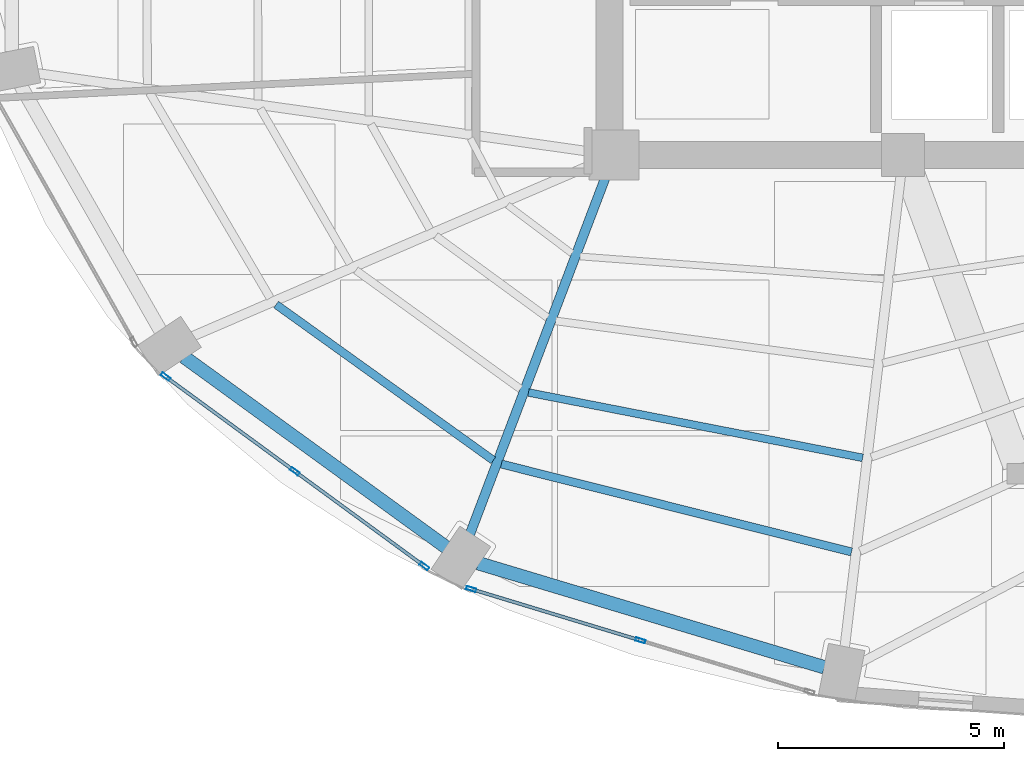
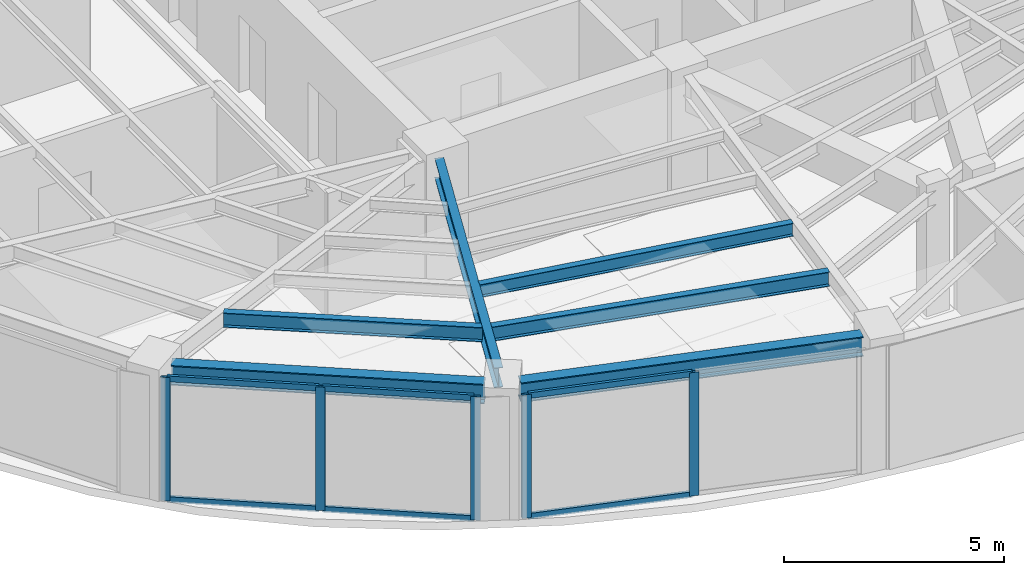
# One storey, part 2 of 20: 11 members, 6 beams, 2 elements without a shape of their own.
"""IFC4 building model written with IfcOpenShell, lengths in metres."""

from ifc_helpers import new_model, si_unit, direction, frame, origin, origin_2d, place, context, subcontext, project, spatial, hollow_rectangle, i_section, extrude, material, layer, layer_set, material_profile, profile_set, type_object, element, aggregate, save


model = new_model("IFC4")

# Units and contexts
model_context = context("Model", 3, precision=1e-05, world=origin(), true_north=direction((0.0, 1.0)))
body_context = subcontext(model_context, "Body", "Model", "MODEL_VIEW")
ifc_project = project(units=[si_unit("LENGTHUNIT", "METRE"), si_unit("AREAUNIT", "SQUARE_METRE"), si_unit("VOLUMEUNIT", "CUBIC_METRE"), si_unit("PLANEANGLEUNIT", "RADIAN"), si_unit("MASSUNIT", "GRAM", prefix="KILO")], contexts=[model_context])

# Site, building, storey
site_placement = place(None, origin())
site = spatial("IfcSite", under=ifc_project, at=site_placement, CompositionType="ELEMENT")
building_placement = place(site_placement, origin())
building = spatial("IfcBuilding", under=site, at=building_placement, Name="Lazwardi Medical Tower", CompositionType="ELEMENT")
storey_placement = place(building_placement, frame((0.0, 0.0, 145.583984375)))
storey = spatial("IfcBuildingStorey", under=building, at=storey_placement, Name="L37", CompositionType="ELEMENT", Elevation=145.583984375)

# Beams
ifc_material_1 = material(Name="Steel S355", Category="steel")
ifc_material_profile_1 = material_profile(ifc_material_1, i_section(OverallWidth=0.300048828125, OverallDepth=0.550048828125, WebThickness=0.014892578125, FlangeThickness=0.029052734375, at=origin_2d()), Name="HEB 550")
ifc_profile_set_1 = profile_set([ifc_material_profile_1], Name="Steel S355")
beam_type_1 = type_object("IfcBeamType", Name="BM-RB-Z3", PredefinedType="BEAM", material=ifc_profile_set_1)
beam_1_placement = place(storey_placement, frame((16.88818359375, 15.93408203125, 3.153076171875), z_axis=(0.809127570774, -0.587633026824, 0.0), x_axis=(0.587633026824, 0.809127570774, 0.0)))
element("IfcBeam", 1, at=beam_1_placement, inside=storey, type_object=beam_type_1, Name="Ring beam RB-04 B14 L37", PredefinedType="BEAM", context=body_context, shape_type="SweptSolid", body=[
    extrude(i_section(OverallWidth=0.300048828125, OverallDepth=0.550048828125, WebThickness=0.014892578125, FlangeThickness=0.029052734375, at=origin_2d()), origin(), (0.0, 0.0, 1.0), 7.170166015625),
])
beam_2_placement = place(storey_placement, frame((23.396484375, 11.37060546875, 3.153076171875), z_axis=(0.957616873483, -0.288045002771, 0.0), x_axis=(0.288045002771, 0.957616873483, 0.0)))
element("IfcBeam", 2, at=beam_2_placement, inside=storey, type_object=beam_type_1, Name="Ring beam RB-04 B15 L37", PredefinedType="BEAM", context=body_context, shape_type="SweptSolid", body=[
    extrude(i_section(OverallWidth=0.300048828125, OverallDepth=0.550048828125, WebThickness=0.014892578125, FlangeThickness=0.029052734375, at=origin_2d()), origin(), (0.0, 0.0, 1.0), 7.99951171875),
])
ifc_material_profile_2 = material_profile(ifc_material_1, i_section(OverallWidth=0.2099609375, OverallDepth=0.550048828125, WebThickness=0.010986328125, FlangeThickness=0.01708984375, at=origin_2d()), Name="IPE 550")
ifc_profile_set_2 = profile_set([ifc_material_profile_2], Name="Steel S355")
beam_type_2 = type_object("IfcBeamType", Name="BM-RG-W2", PredefinedType="BEAM", material=ifc_profile_set_2)
beam_3_placement = place(storey_placement, frame((23.21240234375, 12.00927734375, 3.153076171875), z_axis=(0.355126771712, 0.934818151307, 0.0), x_axis=(-0.934818151307, 0.355126771712, 0.0)))
element("IfcBeam", 3, at=beam_3_placement, inside=storey, type_object=beam_type_2, Name="Radial girder RG-03 R15 L37", PredefinedType="BEAM", context=body_context, shape_type="SweptSolid", body=[
    extrude(i_section(OverallWidth=0.2099609375, OverallDepth=0.550048828125, WebThickness=0.010986328125, FlangeThickness=0.01708984375, at=origin_2d()), origin(), (0.0, 0.0, 1.0), 8.44091796875),
])
ifc_material_profile_3 = material_profile(ifc_material_1, i_section(OverallWidth=0.179931640625, OverallDepth=0.39990234375, WebThickness=0.008544921875, FlangeThickness=0.013427734375, at=origin_2d()), Name="IPE 400")
ifc_profile_set_3 = profile_set([ifc_material_profile_3], Name="Steel S355")
beam_type_3 = type_object("IfcBeamType", Name="BM-SJ-01", PredefinedType="JOIST", material=ifc_profile_set_3)
beam_4_placement = place(storey_placement, frame((18.926025390625, 17.091796875, 3.22802734375), z_axis=(0.812602017757, -0.582818977675, 0.0), x_axis=(0.582818977675, 0.812602017757, 0.0)))
element("IfcBeam", 4, at=beam_4_placement, inside=storey, type_object=beam_type_3, Name="Secondary joist SJ-01 R1 B14 L37", PredefinedType="JOIST", context=body_context, shape_type="SweptSolid", body=[
    extrude(i_section(OverallWidth=0.179931640625, OverallDepth=0.39990234375, WebThickness=0.008544921875, FlangeThickness=0.013427734375, at=origin_2d()), origin(), (0.0, 0.0, 1.0), 5.91259765625),
])
beam_5_placement = place(storey_placement, frame((23.908935546875, 13.56298828125, 3.22802734375), z_axis=(0.969933596942, -0.243369713652, 0.0), x_axis=(0.243369713652, 0.969933596942, 0.0)))
element("IfcBeam", 5, at=beam_5_placement, inside=storey, type_object=beam_type_3, Name="Secondary joist SJ-01 R1 B15 L37", PredefinedType="JOIST", context=body_context, shape_type="SweptSolid", body=[
    extrude(i_section(OverallWidth=0.179931640625, OverallDepth=0.39990234375, WebThickness=0.008544921875, FlangeThickness=0.013427734375, at=origin_2d()), origin(), (0.0, 0.0, 1.0), 7.98828125),
])
ifc_material_profile_4 = material_profile(ifc_material_1, i_section(OverallWidth=0.169921875, OverallDepth=0.360107421875, WebThickness=0.008056640625, FlangeThickness=0.0126953125, at=origin_2d()), Name="IPE 360")
ifc_profile_set_4 = profile_set([ifc_material_profile_4], Name="Steel S355")
beam_type_4 = type_object("IfcBeamType", Name="BM-SJ-02", PredefinedType="JOIST", material=ifc_profile_set_4)
beam_6_placement = place(storey_placement, frame((24.509521484375, 15.146484375, 3.248046875), z_axis=(0.98141534692, -0.191895588353, 0.0), x_axis=(0.191895588353, 0.98141534692, 0.0)))
element("IfcBeam", 6, at=beam_6_placement, inside=storey, type_object=beam_type_4, Name="Secondary joist SJ-02 R2 B15 L37", PredefinedType="JOIST", context=body_context, shape_type="SweptSolid", body=[
    extrude(i_section(OverallWidth=0.169921875, OverallDepth=0.360107421875, WebThickness=0.008056640625, FlangeThickness=0.0126953125, at=origin_2d()), origin(), (0.0, 0.0, 1.0), 7.534423828125),
])

# Curtain wall, members
ifc_material_2 = material(Name="Anodised bronze aluminium and solar control glazing", Category="aluminium")
ifc_layer = layer(ifc_material_2, 0.195068359375)
ifc_layer_set = layer_set([ifc_layer], Name="Anodised bronze aluminium and solar control glazing")
curtain_wall_type = type_object("IfcCurtainWallType", Name="CW-SYS-03", PredefinedType="NOTDEFINED", material=ifc_layer_set)
curtain_wall_1_placement = place(storey_placement, origin())
curtain_wall_1 = element("IfcCurtainWall", 7, at=curtain_wall_1_placement, inside=storey, type_object=curtain_wall_type, Name="L37 Unitised bronze curtain wall CW-03", PredefinedType="NOTDEFINED")
ifc_material_3 = material(Name="Anodised bronze aluminium", Category="aluminium")
ifc_material_profile_5 = material_profile(ifc_material_3, hollow_rectangle(XDim=0.074951171875, YDim=0.219970703125, WallThickness=0.00390625, at=origin_2d()), Name="ALU-MULLION 220x75x4")
ifc_profile_set_5 = profile_set([ifc_material_profile_5], Name="Anodised bronze aluminium")
member_type_1 = type_object("IfcMemberType", Name="CW-MUL-01", PredefinedType="MULLION", material=ifc_profile_set_5)
member_1_placement = place(storey_placement, frame((16.480224609375, 15.4970703125, 0.0), z_axis=(0.0, 0.0, 1.0), x_axis=(0.590833862635, 0.806793249082, 0.0)))
member_1 = element("IfcMember", 8, at=member_1_placement, type_object=member_type_1, Name="CW-03 mullion 1", PredefinedType="MULLION", context=body_context, shape_type="SweptSolid", body=[
    extrude(hollow_rectangle(XDim=0.074951171875, YDim=0.219970703125, WallThickness=0.00390625, at=origin_2d()), origin(), (0.0, 0.0, 1.0), 3.427978515625),
])
member_2_placement = place(storey_placement, frame((19.34228515625, 13.401123046875, 0.0), z_axis=(0.0, 0.0, 1.0), x_axis=(0.590833862635, 0.806793249082, 0.0)))
member_2 = element("IfcMember", 9, at=member_2_placement, type_object=member_type_1, Name="CW-03 mullion 2", PredefinedType="MULLION", context=body_context, shape_type="SweptSolid", body=[
    extrude(hollow_rectangle(XDim=0.074951171875, YDim=0.219970703125, WallThickness=0.00390625, at=origin_2d()), origin(), (0.0, 0.0, 1.0), 3.427978515625),
])
member_3_placement = place(storey_placement, frame((22.204345703125, 11.30517578125, 0.0), z_axis=(0.0, 0.0, 1.0), x_axis=(0.590833862635, 0.806793249082, 0.0)))
member_3 = element("IfcMember", 10, at=member_3_placement, type_object=member_type_1, Name="CW-03 mullion 3", PredefinedType="MULLION", context=body_context, shape_type="SweptSolid", body=[
    extrude(hollow_rectangle(XDim=0.074951171875, YDim=0.219970703125, WallThickness=0.00390625, at=origin_2d()), origin(), (0.0, 0.0, 1.0), 3.427978515625),
])

curtain_wall_2_placement = place(storey_placement, origin())
curtain_wall_2 = element("IfcCurtainWall", 11, at=curtain_wall_2_placement, inside=storey, type_object=curtain_wall_type, Name="L37 Unitised bronze curtain wall CW-03", PredefinedType="NOTDEFINED")
member_4_placement = place(storey_placement, frame((23.241943359375, 10.796630859375, 0.0), z_axis=(0.0, 0.0, 1.0), x_axis=(0.290280785441, 0.956941516292, 0.0)))
member_4 = element("IfcMember", 12, at=member_4_placement, type_object=member_type_1, Name="CW-03 mullion 1", PredefinedType="MULLION", context=body_context, shape_type="SweptSolid", body=[
    extrude(hollow_rectangle(XDim=0.074951171875, YDim=0.219970703125, WallThickness=0.00390625, at=origin_2d()), origin(), (0.0, 0.0, 1.0), 3.427978515625),
])
member_5_placement = place(storey_placement, frame((26.98486328125, 9.661376953125, 0.0), z_axis=(0.0, 0.0, 1.0), x_axis=(0.290280785441, 0.956941516292, 0.0)))
member_5 = element("IfcMember", 13, at=member_5_placement, type_object=member_type_1, Name="CW-03 mullion 2", PredefinedType="MULLION", context=body_context, shape_type="SweptSolid", body=[
    extrude(hollow_rectangle(XDim=0.074951171875, YDim=0.219970703125, WallThickness=0.00390625, at=origin_2d()), origin(), (0.0, 0.0, 1.0), 3.427978515625),
])

# Member
ifc_material_profile_6 = material_profile(ifc_material_3, hollow_rectangle(XDim=0.074951171875, YDim=0.159912109375, WallThickness=0.00390625, at=origin_2d()), Name="ALU-TRANSOM 160x75x4")
ifc_profile_set_6 = profile_set([ifc_material_profile_6], Name="Anodised bronze aluminium")
member_type_2 = type_object("IfcMemberType", Name="CW-TRN-01", PredefinedType="USERDEFINED", material=ifc_profile_set_6)
member_6_placement = place(storey_placement, frame((16.510498046875, 15.474853515625, 0.03759765625), z_axis=(0.806807161185, -0.590814864962, 0.0), x_axis=(0.590814864962, 0.806807161185, 0.0)))
member_6 = element("IfcMember", 14, at=member_6_placement, type_object=member_type_2, Name="CW-03 transom 1.1", ObjectType="TRANSOM", PredefinedType="USERDEFINED", context=body_context, shape_type="SweptSolid", body=[
    extrude(hollow_rectangle(XDim=0.074951171875, YDim=0.159912109375, WallThickness=0.00390625, at=origin_2d()), origin(), (0.0, 0.0, 1.0), 3.472412109375),
])

member_7_placement = place(storey_placement, frame((16.510498046875, 15.474853515625, 3.390625), z_axis=(0.806807161185, -0.590814864962, 0.0), x_axis=(0.590814864962, 0.806807161185, 0.0)))
member_7 = element("IfcMember", 15, at=member_7_placement, type_object=member_type_2, Name="CW-03 transom 1.2", ObjectType="TRANSOM", PredefinedType="USERDEFINED", context=body_context, shape_type="SweptSolid", body=[
    extrude(hollow_rectangle(XDim=0.074951171875, YDim=0.159912109375, WallThickness=0.00390625, at=origin_2d()), origin(), (0.0, 0.0, 1.0), 3.472412109375),
])

member_8_placement = place(storey_placement, frame((19.37255859375, 13.37890625, 0.03759765625), z_axis=(0.806807161185, -0.590814864962, 0.0), x_axis=(0.590814864962, 0.806807161185, 0.0)))
member_8 = element("IfcMember", 16, at=member_8_placement, type_object=member_type_2, Name="CW-03 transom 2.1", ObjectType="TRANSOM", PredefinedType="USERDEFINED", context=body_context, shape_type="SweptSolid", body=[
    extrude(hollow_rectangle(XDim=0.074951171875, YDim=0.159912109375, WallThickness=0.00390625, at=origin_2d()), origin(), (0.0, 0.0, 1.0), 3.472412109375),
])

member_9_placement = place(storey_placement, frame((19.37255859375, 13.37890625, 3.390625), z_axis=(0.806807161185, -0.590814864962, 0.0), x_axis=(0.590814864962, 0.806807161185, 0.0)))
member_9 = element("IfcMember", 17, at=member_9_placement, type_object=member_type_2, Name="CW-03 transom 2.2", ObjectType="TRANSOM", PredefinedType="USERDEFINED", context=body_context, shape_type="SweptSolid", body=[
    extrude(hollow_rectangle(XDim=0.074951171875, YDim=0.159912109375, WallThickness=0.00390625, at=origin_2d()), origin(), (0.0, 0.0, 1.0), 3.472412109375),
])

aggregate(curtain_wall_1, [member_1, member_2, member_3, member_6, member_7, member_8, member_9])

member_10_placement = place(storey_placement, frame((23.27783203125, 10.785888671875, 0.03759765625), z_axis=(0.956930154175, -0.290318239233, 0.0), x_axis=(0.290318239233, 0.956930154175, 0.0)))
member_10 = element("IfcMember", 18, at=member_10_placement, type_object=member_type_2, Name="CW-03 transom 1.1", ObjectType="TRANSOM", PredefinedType="USERDEFINED", context=body_context, shape_type="SweptSolid", body=[
    extrude(hollow_rectangle(XDim=0.074951171875, YDim=0.159912109375, WallThickness=0.00390625, at=origin_2d()), origin(), (0.0, 0.0, 1.0), 3.83642578125),
])

member_11_placement = place(storey_placement, frame((23.27783203125, 10.785888671875, 3.390625), z_axis=(0.956930154175, -0.290318239233, 0.0), x_axis=(0.290318239233, 0.956930154175, 0.0)))
member_11 = element("IfcMember", 19, at=member_11_placement, type_object=member_type_2, Name="CW-03 transom 1.2", ObjectType="TRANSOM", PredefinedType="USERDEFINED", context=body_context, shape_type="SweptSolid", body=[
    extrude(hollow_rectangle(XDim=0.074951171875, YDim=0.159912109375, WallThickness=0.00390625, at=origin_2d()), origin(), (0.0, 0.0, 1.0), 3.83642578125),
])

aggregate(curtain_wall_2, [member_4, member_5, member_10, member_11])

save(model, "model.ifc")
